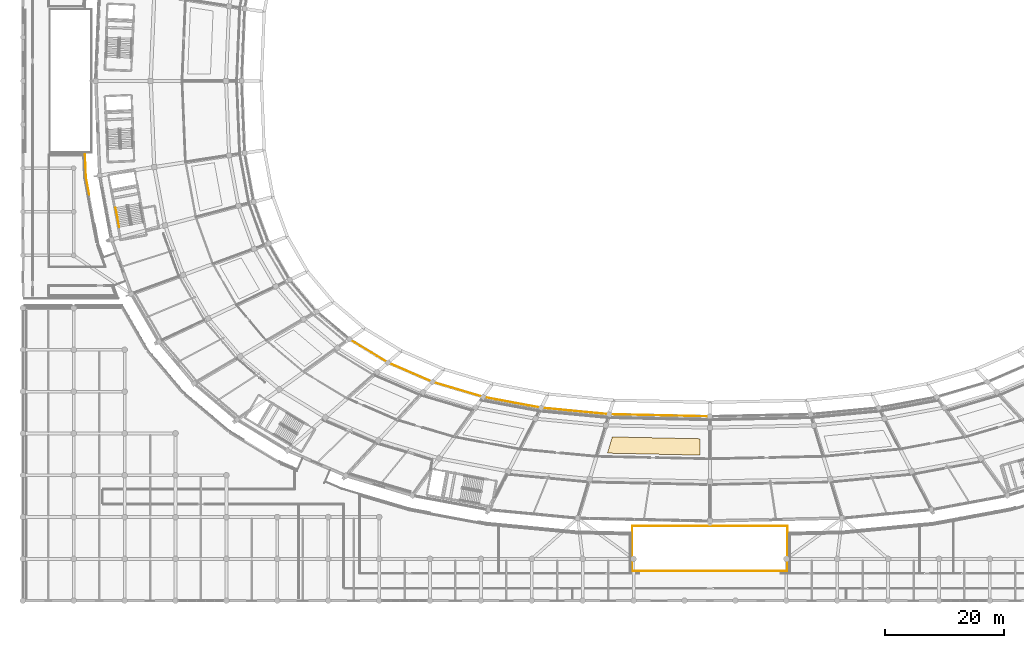
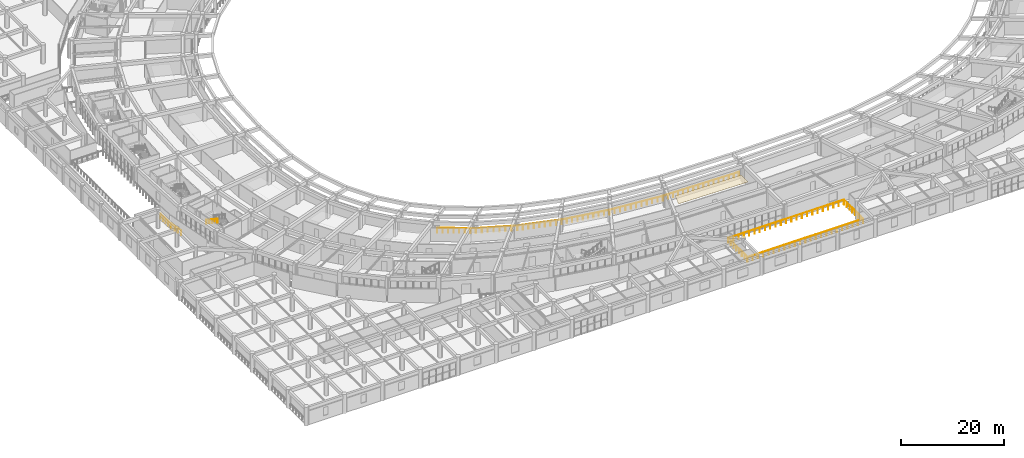
# One storey, part 123 of 145: 5 railings, 1 covering.
"""IFC4 building model written with IfcOpenShell, lengths in metres."""

from ifc_helpers import new_model, si_unit, direction, frame, origin, origin_2d, place, context, subcontext, project, spatial, polyline, circle, outline, extrude, material, layer, layer_set, type_object, element, save


model = new_model("IFC4")

# Units and contexts
model_context = context("Model", 3, precision=1e-05, world=origin(), true_north=direction((0.0, 1.0)))
body_context = subcontext(model_context, "Body", "Model", "MODEL_VIEW")
ifc_project = project(units=[si_unit("LENGTHUNIT", "METRE"), si_unit("AREAUNIT", "SQUARE_METRE"), si_unit("VOLUMEUNIT", "CUBIC_METRE"), si_unit("PLANEANGLEUNIT", "RADIAN"), si_unit("MASSUNIT", "GRAM", prefix="KILO")], contexts=[model_context])

# Site, building, storey
site_placement = place(None, origin())
site = spatial("IfcSite", under=ifc_project, at=site_placement, CompositionType="ELEMENT")
building_placement = place(site_placement, origin())
building = spatial("IfcBuilding", under=site, at=building_placement, Name="Mphavela Belvedere Stadium", CompositionType="ELEMENT")
storey_placement = place(building_placement, frame((0.0, 0.0, 10.199951171875)))
storey = spatial("IfcBuildingStorey", under=building, at=storey_placement, Name="L02", CompositionType="ELEMENT", Elevation=10.199951171875)

# Covering
ifc_material_1 = material(Name="Perforated acoustic mineral ceiling tile")
ifc_layer = layer(ifc_material_1, 0.0400390625)
ifc_layer_set = layer_set([ifc_layer], Name="Perforated acoustic mineral ceiling tile")
covering_type = type_object("IfcCoveringType", Name="COV-CEILING-ACOUSTIC", PredefinedType="CEILING", material=ifc_layer_set)
covering_placement = place(storey_placement, frame((0.0, 0.0, 3.199951171875)))
element("IfcCovering", 1, at=covering_placement, inside=storey, type_object=covering_type, Name="Concourse acoustic ceiling L02-36", PredefinedType="CEILING", context=body_context, shape_type="SweptSolid", body=[
    extrude(outline(polyline([(98.665771484375, 27.42041015625), (113.343994140625, 27.1044921875), (113.343994140625, 24.368896484375), (97.844482421875, 24.70263671875), (98.665771484375, 27.42041015625)])), origin(), (0.0, 0.0, 1.0), 0.0400390625),
])

# Railings
ifc_material_2 = material(Name="Bronze and laminated glass stadium balustrade", Category="glass")
railing_type_1 = type_object("IfcRailingType", Name="RAL-BALUSTRADE-1120", PredefinedType="BALUSTRADE", material=ifc_material_2)
railing_1_placement = place(storey_placement, frame((102.0, 5.0, 0.0)))
element("IfcRailing", 2, at=railing_1_placement, inside=storey, type_object=railing_type_1, Name="South Axial Triumphal Peristyle Portico court balustrade L02-A", PredefinedType="BALUSTRADE", context=body_context, shape_type="SweptSolid", body=[
    extrude(circle(Radius=0.02392578125, at=origin_2d()), frame((0.0, 0.0, 1.09619140625), z_axis=(1.0, 0.0, 0.0), x_axis=(0.0, 1.0, 0.0)), (0.0, 0.0, 1.0), 26.0),
    extrude(circle(Radius=0.02392578125, at=origin_2d()), frame((26.0, 0.0, 1.09619140625), z_axis=(0.0, 1.0, 0.0), x_axis=(-1.0, 0.0, 0.0)), (0.0, 0.0, 1.0), 7.419921875),
    extrude(circle(Radius=0.02099609375, at=origin_2d()), origin(), (0.0, 0.0, 1.0), 1.072021484375),
    extrude(circle(Radius=0.02099609375, at=origin_2d()), frame((1.181884765625, 0.0, 0.0)), (0.0, 0.0, 1.0), 1.072021484375),
    extrude(circle(Radius=0.02099609375, at=origin_2d()), frame((2.363525390625, 0.0, 0.0)), (0.0, 0.0, 1.0), 1.072021484375),
    extrude(circle(Radius=0.02099609375, at=origin_2d()), frame((3.54541015625, 0.0, 0.0)), (0.0, 0.0, 1.0), 1.072021484375),
    extrude(circle(Radius=0.02099609375, at=origin_2d()), frame((4.727294921875, 0.0, 0.0)), (0.0, 0.0, 1.0), 1.072021484375),
    extrude(circle(Radius=0.02099609375, at=origin_2d()), frame((5.9091796875, 0.0, 0.0)), (0.0, 0.0, 1.0), 1.072021484375),
    extrude(circle(Radius=0.02099609375, at=origin_2d()), frame((7.0908203125, 0.0, 0.0)), (0.0, 0.0, 1.0), 1.072021484375),
    extrude(circle(Radius=0.02099609375, at=origin_2d()), frame((8.272705078125, 0.0, 0.0)), (0.0, 0.0, 1.0), 1.072021484375),
    extrude(circle(Radius=0.02099609375, at=origin_2d()), frame((9.45458984375, 0.0, 0.0)), (0.0, 0.0, 1.0), 1.072021484375),
    extrude(circle(Radius=0.02099609375, at=origin_2d()), frame((10.636474609375, 0.0, 0.0)), (0.0, 0.0, 1.0), 1.072021484375),
    extrude(circle(Radius=0.02099609375, at=origin_2d()), frame((11.818115234375, 0.0, 0.0)), (0.0, 0.0, 1.0), 1.072021484375),
    extrude(circle(Radius=0.02099609375, at=origin_2d()), frame((13.0, 0.0, 0.0)), (0.0, 0.0, 1.0), 1.072021484375),
    extrude(circle(Radius=0.02099609375, at=origin_2d()), frame((14.181884765625, 0.0, 0.0)), (0.0, 0.0, 1.0), 1.072021484375),
    extrude(circle(Radius=0.02099609375, at=origin_2d()), frame((15.363525390625, 0.0, 0.0)), (0.0, 0.0, 1.0), 1.072021484375),
    extrude(circle(Radius=0.02099609375, at=origin_2d()), frame((16.54541015625, 0.0, 0.0)), (0.0, 0.0, 1.0), 1.072021484375),
    extrude(circle(Radius=0.02099609375, at=origin_2d()), frame((17.727294921875, 0.0, 0.0)), (0.0, 0.0, 1.0), 1.072021484375),
    extrude(circle(Radius=0.02099609375, at=origin_2d()), frame((18.9091796875, 0.0, 0.0)), (0.0, 0.0, 1.0), 1.072021484375),
    extrude(circle(Radius=0.02099609375, at=origin_2d()), frame((20.0908203125, 0.0, 0.0)), (0.0, 0.0, 1.0), 1.072021484375),
    extrude(circle(Radius=0.02099609375, at=origin_2d()), frame((21.272705078125, 0.0, 0.0)), (0.0, 0.0, 1.0), 1.072021484375),
    extrude(circle(Radius=0.02099609375, at=origin_2d()), frame((22.45458984375, 0.0, 0.0)), (0.0, 0.0, 1.0), 1.072021484375),
    extrude(circle(Radius=0.02099609375, at=origin_2d()), frame((23.636474609375, 0.0, 0.0)), (0.0, 0.0, 1.0), 1.072021484375),
    extrude(circle(Radius=0.02099609375, at=origin_2d()), frame((24.818115234375, 0.0, 0.0)), (0.0, 0.0, 1.0), 1.072021484375),
    extrude(circle(Radius=0.02099609375, at=origin_2d()), frame((26.0, 0.0, 0.0)), (0.0, 0.0, 1.0), 1.072021484375),
    extrude(circle(Radius=0.02099609375, at=origin_2d()), frame((26.0, 1.06005859375, 0.0)), (0.0, 0.0, 1.0), 1.072021484375),
    extrude(circle(Radius=0.02099609375, at=origin_2d()), frame((26.0, 2.119873046875, 0.0)), (0.0, 0.0, 1.0), 1.072021484375),
    extrude(circle(Radius=0.02099609375, at=origin_2d()), frame((26.0, 3.179931640625, 0.0)), (0.0, 0.0, 1.0), 1.072021484375),
    extrude(circle(Radius=0.02099609375, at=origin_2d()), frame((26.0, 4.239990234375, 0.0)), (0.0, 0.0, 1.0), 1.072021484375),
    extrude(circle(Radius=0.02099609375, at=origin_2d()), frame((26.0, 5.300048828125, 0.0)), (0.0, 0.0, 1.0), 1.072021484375),
    extrude(circle(Radius=0.02099609375, at=origin_2d()), frame((26.0, 6.35986328125, 0.0)), (0.0, 0.0, 1.0), 1.072021484375),
    extrude(circle(Radius=0.02099609375, at=origin_2d()), frame((26.0, 7.419921875, 0.0)), (0.0, 0.0, 1.0), 1.072021484375),
])
railing_2_placement = place(storey_placement, frame((128.0, 12.5, 0.0)))
element("IfcRailing", 3, at=railing_2_placement, inside=storey, type_object=railing_type_1, Name="South Axial Triumphal Peristyle Portico court balustrade L02-B", PredefinedType="BALUSTRADE", context=body_context, shape_type="SweptSolid", body=[
    extrude(circle(Radius=0.02392578125, at=origin_2d()), frame((0.0, 0.0, 1.09619140625), z_axis=(-1.0, 0.0, 0.0), x_axis=(0.0, -1.0, 0.0)), (0.0, 0.0, 1.0), 26.0),
    extrude(circle(Radius=0.02392578125, at=origin_2d()), frame((-26.0, 0.0, 1.09619140625), z_axis=(0.0, -1.0, 0.0), x_axis=(1.0, 0.0, 0.0)), (0.0, 0.0, 1.0), 7.419921875),
    extrude(circle(Radius=0.02099609375, at=origin_2d()), origin(), (0.0, 0.0, 1.0), 1.072021484375),
    extrude(circle(Radius=0.02099609375, at=origin_2d()), frame((-1.181884765625, 0.0, 0.0)), (0.0, 0.0, 1.0), 1.072021484375),
    extrude(circle(Radius=0.02099609375, at=origin_2d()), frame((-2.363525390625, 0.0, 0.0)), (0.0, 0.0, 1.0), 1.072021484375),
    extrude(circle(Radius=0.02099609375, at=origin_2d()), frame((-3.54541015625, 0.0, 0.0)), (0.0, 0.0, 1.0), 1.072021484375),
    extrude(circle(Radius=0.02099609375, at=origin_2d()), frame((-4.727294921875, 0.0, 0.0)), (0.0, 0.0, 1.0), 1.072021484375),
    extrude(circle(Radius=0.02099609375, at=origin_2d()), frame((-5.9091796875, 0.0, 0.0)), (0.0, 0.0, 1.0), 1.072021484375),
    extrude(circle(Radius=0.02099609375, at=origin_2d()), frame((-7.0908203125, 0.0, 0.0)), (0.0, 0.0, 1.0), 1.072021484375),
    extrude(circle(Radius=0.02099609375, at=origin_2d()), frame((-8.272705078125, 0.0, 0.0)), (0.0, 0.0, 1.0), 1.072021484375),
    extrude(circle(Radius=0.02099609375, at=origin_2d()), frame((-9.45458984375, 0.0, 0.0)), (0.0, 0.0, 1.0), 1.072021484375),
    extrude(circle(Radius=0.02099609375, at=origin_2d()), frame((-10.636474609375, 0.0, 0.0)), (0.0, 0.0, 1.0), 1.072021484375),
    extrude(circle(Radius=0.02099609375, at=origin_2d()), frame((-11.818115234375, 0.0, 0.0)), (0.0, 0.0, 1.0), 1.072021484375),
    extrude(circle(Radius=0.02099609375, at=origin_2d()), frame((-13.0, 0.0, 0.0)), (0.0, 0.0, 1.0), 1.072021484375),
    extrude(circle(Radius=0.02099609375, at=origin_2d()), frame((-14.181884765625, 0.0, 0.0)), (0.0, 0.0, 1.0), 1.072021484375),
    extrude(circle(Radius=0.02099609375, at=origin_2d()), frame((-15.363525390625, 0.0, 0.0)), (0.0, 0.0, 1.0), 1.072021484375),
    extrude(circle(Radius=0.02099609375, at=origin_2d()), frame((-16.54541015625, 0.0, 0.0)), (0.0, 0.0, 1.0), 1.072021484375),
    extrude(circle(Radius=0.02099609375, at=origin_2d()), frame((-17.727294921875, 0.0, 0.0)), (0.0, 0.0, 1.0), 1.072021484375),
    extrude(circle(Radius=0.02099609375, at=origin_2d()), frame((-18.9091796875, 0.0, 0.0)), (0.0, 0.0, 1.0), 1.072021484375),
    extrude(circle(Radius=0.02099609375, at=origin_2d()), frame((-20.0908203125, 0.0, 0.0)), (0.0, 0.0, 1.0), 1.072021484375),
    extrude(circle(Radius=0.02099609375, at=origin_2d()), frame((-21.272705078125, 0.0, 0.0)), (0.0, 0.0, 1.0), 1.072021484375),
    extrude(circle(Radius=0.02099609375, at=origin_2d()), frame((-22.45458984375, 0.0, 0.0)), (0.0, 0.0, 1.0), 1.072021484375),
    extrude(circle(Radius=0.02099609375, at=origin_2d()), frame((-23.636474609375, 0.0, 0.0)), (0.0, 0.0, 1.0), 1.072021484375),
    extrude(circle(Radius=0.02099609375, at=origin_2d()), frame((-24.818115234375, 0.0, 0.0)), (0.0, 0.0, 1.0), 1.072021484375),
    extrude(circle(Radius=0.02099609375, at=origin_2d()), frame((-26.0, 0.0, 0.0)), (0.0, 0.0, 1.0), 1.072021484375),
    extrude(circle(Radius=0.02099609375, at=origin_2d()), frame((-26.0, -1.06005859375, 0.0)), (0.0, 0.0, 1.0), 1.072021484375),
    extrude(circle(Radius=0.02099609375, at=origin_2d()), frame((-26.0, -2.119873046875, 0.0)), (0.0, 0.0, 1.0), 1.072021484375),
    extrude(circle(Radius=0.02099609375, at=origin_2d()), frame((-26.0, -3.179931640625, 0.0)), (0.0, 0.0, 1.0), 1.072021484375),
    extrude(circle(Radius=0.02099609375, at=origin_2d()), frame((-26.0, -4.239990234375, 0.0)), (0.0, 0.0, 1.0), 1.072021484375),
    extrude(circle(Radius=0.02099609375, at=origin_2d()), frame((-26.0, -5.300048828125, 0.0)), (0.0, 0.0, 1.0), 1.072021484375),
    extrude(circle(Radius=0.02099609375, at=origin_2d()), frame((-26.0, -6.35986328125, 0.0)), (0.0, 0.0, 1.0), 1.072021484375),
    extrude(circle(Radius=0.02099609375, at=origin_2d()), frame((-26.0, -7.419921875, 0.0)), (0.0, 0.0, 1.0), 1.072021484375),
])
railing_3_placement = place(storey_placement, frame((54.66259765625, 43.7685546875, 0.0)))
element("IfcRailing", 4, at=railing_3_placement, inside=storey, type_object=railing_type_1, Name="Bowl safety balustrade l02_bowl S6", PredefinedType="BALUSTRADE", context=body_context, shape_type="SweptSolid", body=[
    extrude(circle(Radius=0.02392578125, at=origin_2d()), frame((0.0, 0.0, 1.09619140625), z_axis=(0.854325951403, -0.51973759606, 0.0), x_axis=(0.51973759606, 0.854325951403, 0.0)), (0.0, 0.0, 1.0), 7.5478515625),
    extrude(circle(Radius=0.02392578125, at=origin_2d()), frame((6.4482421875, -3.9228515625, 1.09619140625), z_axis=(0.917503251148, -0.397728279273, 0.0), x_axis=(0.397728279273, 0.917503251148, 0.0)), (0.0, 0.0, 1.0), 8.107666015625),
    extrude(circle(Radius=0.02392578125, at=origin_2d()), frame((13.886962890625, -7.1474609375, 1.09619140625), z_axis=(0.958656973737, -0.284564240033, 0.0), x_axis=(0.284564240033, 0.958656973737, 0.0)), (0.0, 0.0, 1.0), 8.854736328125),
    extrude(circle(Radius=0.02392578125, at=origin_2d()), frame((22.375732421875, -9.667236328125, 1.09619140625), z_axis=(0.983092994202, -0.183106976248, 0.0), x_axis=(0.183106976248, 0.983092994202, 0.0)), (0.0, 0.0, 1.0), 9.869140625),
    extrude(circle(Radius=0.02392578125, at=origin_2d()), frame((32.078125, -11.474365234375, 1.09619140625), z_axis=(0.995485216305, -0.094916722014, 0.0), x_axis=(0.094916722014, 0.995485216305, 0.0)), (0.0, 0.0, 1.0), 11.453857421875),
    extrude(circle(Radius=0.02392578125, at=origin_2d()), frame((43.480224609375, -12.5615234375, 1.09619140625), z_axis=(0.9997681798, -0.021531062658, 0.0), x_axis=(0.021531062658, 0.9997681798, 0.0)), (0.0, 0.0, 1.0), 16.861083984375),
    extrude(circle(Radius=0.02099609375, at=origin_2d()), origin(), (0.0, 0.0, 1.0), 1.072021484375),
    extrude(circle(Radius=0.02099609375, at=origin_2d()), frame((0.921142578125, -0.560302734375, 0.0)), (0.0, 0.0, 1.0), 1.072021484375),
    extrude(circle(Radius=0.02099609375, at=origin_2d()), frame((1.84228515625, -1.120849609375, 0.0)), (0.0, 0.0, 1.0), 1.072021484375),
    extrude(circle(Radius=0.02099609375, at=origin_2d()), frame((2.763427734375, -1.68115234375, 0.0)), (0.0, 0.0, 1.0), 1.072021484375),
    extrude(circle(Radius=0.02099609375, at=origin_2d()), frame((3.684814453125, -2.24169921875, 0.0)), (0.0, 0.0, 1.0), 1.072021484375),
    extrude(circle(Radius=0.02099609375, at=origin_2d()), frame((4.60595703125, -2.802001953125, 0.0)), (0.0, 0.0, 1.0), 1.072021484375),
    extrude(circle(Radius=0.02099609375, at=origin_2d()), frame((5.527099609375, -3.362548828125, 0.0)), (0.0, 0.0, 1.0), 1.072021484375),
    extrude(circle(Radius=0.02099609375, at=origin_2d()), frame((6.4482421875, -3.9228515625, 0.0)), (0.0, 0.0, 1.0), 1.072021484375),
    extrude(circle(Radius=0.02099609375, at=origin_2d()), frame((7.510986328125, -4.383544921875, 0.0)), (0.0, 0.0, 1.0), 1.072021484375),
    extrude(circle(Radius=0.02099609375, at=origin_2d()), frame((8.573486328125, -4.84423828125, 0.0)), (0.0, 0.0, 1.0), 1.072021484375),
    extrude(circle(Radius=0.02099609375, at=origin_2d()), frame((9.63623046875, -5.304931640625, 0.0)), (0.0, 0.0, 1.0), 1.072021484375),
    extrude(circle(Radius=0.02099609375, at=origin_2d()), frame((10.698974609375, -5.765380859375, 0.0)), (0.0, 0.0, 1.0), 1.072021484375),
    extrude(circle(Radius=0.02099609375, at=origin_2d()), frame((11.76171875, -6.22607421875, 0.0)), (0.0, 0.0, 1.0), 1.072021484375),
    extrude(circle(Radius=0.02099609375, at=origin_2d()), frame((12.82421875, -6.686767578125, 0.0)), (0.0, 0.0, 1.0), 1.072021484375),
    extrude(circle(Radius=0.02099609375, at=origin_2d()), frame((13.886962890625, -7.1474609375, 0.0)), (0.0, 0.0, 1.0), 1.072021484375),
    extrude(circle(Radius=0.02099609375, at=origin_2d()), frame((14.947998046875, -7.46240234375, 0.0)), (0.0, 0.0, 1.0), 1.072021484375),
    extrude(circle(Radius=0.02099609375, at=origin_2d()), frame((16.00927734375, -7.77734375, 0.0)), (0.0, 0.0, 1.0), 1.072021484375),
    extrude(circle(Radius=0.02099609375, at=origin_2d()), frame((17.0703125, -8.09228515625, 0.0)), (0.0, 0.0, 1.0), 1.072021484375),
    extrude(circle(Radius=0.02099609375, at=origin_2d()), frame((18.13134765625, -8.4072265625, 0.0)), (0.0, 0.0, 1.0), 1.072021484375),
    extrude(circle(Radius=0.02099609375, at=origin_2d()), frame((19.1923828125, -8.722412109375, 0.0)), (0.0, 0.0, 1.0), 1.072021484375),
    extrude(circle(Radius=0.02099609375, at=origin_2d()), frame((20.25341796875, -9.037353515625, 0.0)), (0.0, 0.0, 1.0), 1.072021484375),
    extrude(circle(Radius=0.02099609375, at=origin_2d()), frame((21.314697265625, -9.352294921875, 0.0)), (0.0, 0.0, 1.0), 1.072021484375),
    extrude(circle(Radius=0.02099609375, at=origin_2d()), frame((22.375732421875, -9.667236328125, 0.0)), (0.0, 0.0, 1.0), 1.072021484375),
    extrude(circle(Radius=0.02099609375, at=origin_2d()), frame((23.453857421875, -9.867919921875, 0.0)), (0.0, 0.0, 1.0), 1.072021484375),
    extrude(circle(Radius=0.02099609375, at=origin_2d()), frame((24.53173828125, -10.06884765625, 0.0)), (0.0, 0.0, 1.0), 1.072021484375),
    extrude(circle(Radius=0.02099609375, at=origin_2d()), frame((25.60986328125, -10.26953125, 0.0)), (0.0, 0.0, 1.0), 1.072021484375),
    extrude(circle(Radius=0.02099609375, at=origin_2d()), frame((26.68798828125, -10.470458984375, 0.0)), (0.0, 0.0, 1.0), 1.072021484375),
    extrude(circle(Radius=0.02099609375, at=origin_2d()), frame((27.765869140625, -10.671142578125, 0.0)), (0.0, 0.0, 1.0), 1.072021484375),
    extrude(circle(Radius=0.02099609375, at=origin_2d()), frame((28.843994140625, -10.8720703125, 0.0)), (0.0, 0.0, 1.0), 1.072021484375),
    extrude(circle(Radius=0.02099609375, at=origin_2d()), frame((29.922119140625, -11.07275390625, 0.0)), (0.0, 0.0, 1.0), 1.072021484375),
    extrude(circle(Radius=0.02099609375, at=origin_2d()), frame((31.0, -11.273681640625, 0.0)), (0.0, 0.0, 1.0), 1.072021484375),
    extrude(circle(Radius=0.02099609375, at=origin_2d()), frame((32.078125, -11.474365234375, 0.0)), (0.0, 0.0, 1.0), 1.072021484375),
    extrude(circle(Radius=0.02099609375, at=origin_2d()), frame((33.21826171875, -11.5830078125, 0.0)), (0.0, 0.0, 1.0), 1.072021484375),
    extrude(circle(Radius=0.02099609375, at=origin_2d()), frame((34.358642578125, -11.69189453125, 0.0)), (0.0, 0.0, 1.0), 1.072021484375),
    extrude(circle(Radius=0.02099609375, at=origin_2d()), frame((35.498779296875, -11.800537109375, 0.0)), (0.0, 0.0, 1.0), 1.072021484375),
    extrude(circle(Radius=0.02099609375, at=origin_2d()), frame((36.638916015625, -11.9091796875, 0.0)), (0.0, 0.0, 1.0), 1.072021484375),
    extrude(circle(Radius=0.02099609375, at=origin_2d()), frame((37.779296875, -12.01806640625, 0.0)), (0.0, 0.0, 1.0), 1.072021484375),
    extrude(circle(Radius=0.02099609375, at=origin_2d()), frame((38.91943359375, -12.126708984375, 0.0)), (0.0, 0.0, 1.0), 1.072021484375),
    extrude(circle(Radius=0.02099609375, at=origin_2d()), frame((40.0595703125, -12.2353515625, 0.0)), (0.0, 0.0, 1.0), 1.072021484375),
    extrude(circle(Radius=0.02099609375, at=origin_2d()), frame((41.19970703125, -12.343994140625, 0.0)), (0.0, 0.0, 1.0), 1.072021484375),
    extrude(circle(Radius=0.02099609375, at=origin_2d()), frame((42.340087890625, -12.452880859375, 0.0)), (0.0, 0.0, 1.0), 1.072021484375),
    extrude(circle(Radius=0.02099609375, at=origin_2d()), frame((43.480224609375, -12.5615234375, 0.0)), (0.0, 0.0, 1.0), 1.072021484375),
    extrude(circle(Radius=0.02099609375, at=origin_2d()), frame((44.60400390625, -12.585693359375, 0.0)), (0.0, 0.0, 1.0), 1.072021484375),
    extrude(circle(Radius=0.02099609375, at=origin_2d()), frame((45.727783203125, -12.60986328125, 0.0)), (0.0, 0.0, 1.0), 1.072021484375),
    extrude(circle(Radius=0.02099609375, at=origin_2d()), frame((46.8515625, -12.634033203125, 0.0)), (0.0, 0.0, 1.0), 1.072021484375),
    extrude(circle(Radius=0.02099609375, at=origin_2d()), frame((47.9755859375, -12.658447265625, 0.0)), (0.0, 0.0, 1.0), 1.072021484375),
    extrude(circle(Radius=0.02099609375, at=origin_2d()), frame((49.099365234375, -12.6826171875, 0.0)), (0.0, 0.0, 1.0), 1.072021484375),
    extrude(circle(Radius=0.02099609375, at=origin_2d()), frame((50.22314453125, -12.706787109375, 0.0)), (0.0, 0.0, 1.0), 1.072021484375),
    extrude(circle(Radius=0.02099609375, at=origin_2d()), frame((51.346923828125, -12.73095703125, 0.0)), (0.0, 0.0, 1.0), 1.072021484375),
    extrude(circle(Radius=0.02099609375, at=origin_2d()), frame((52.470703125, -12.755126953125, 0.0)), (0.0, 0.0, 1.0), 1.072021484375),
    extrude(circle(Radius=0.02099609375, at=origin_2d()), frame((53.594482421875, -12.779296875, 0.0)), (0.0, 0.0, 1.0), 1.072021484375),
    extrude(circle(Radius=0.02099609375, at=origin_2d()), frame((54.71826171875, -12.803466796875, 0.0)), (0.0, 0.0, 1.0), 1.072021484375),
    extrude(circle(Radius=0.02099609375, at=origin_2d()), frame((55.842041015625, -12.82763671875, 0.0)), (0.0, 0.0, 1.0), 1.072021484375),
    extrude(circle(Radius=0.02099609375, at=origin_2d()), frame((56.966064453125, -12.85205078125, 0.0)), (0.0, 0.0, 1.0), 1.072021484375),
    extrude(circle(Radius=0.02099609375, at=origin_2d()), frame((58.08984375, -12.876220703125, 0.0)), (0.0, 0.0, 1.0), 1.072021484375),
    extrude(circle(Radius=0.02099609375, at=origin_2d()), frame((59.213623046875, -12.900390625, 0.0)), (0.0, 0.0, 1.0), 1.072021484375),
    extrude(circle(Radius=0.02099609375, at=origin_2d()), frame((60.33740234375, -12.924560546875, 0.0)), (0.0, 0.0, 1.0), 1.072021484375),
])
railing_4_placement = place(storey_placement, frame((10.4130859375, 74.719970703125, 0.0)))
element("IfcRailing", 5, at=railing_4_placement, inside=storey, type_object=railing_type_1, Name="Peristyle wing gallery edge balustrade L02-56", PredefinedType="BALUSTRADE", context=body_context, shape_type="SweptSolid", body=[
    extrude(circle(Radius=0.02392578125, at=origin_2d()), frame((0.0, 0.0, 1.09619140625), z_axis=(0.041915584211, -0.999121155716, 0.0), x_axis=(0.999121155716, 0.041915584211, 0.0)), (0.0, 0.0, 1.0), 3.66943359375),
    extrude(circle(Radius=0.02392578125, at=origin_2d()), frame((0.15380859375, -3.666259765625, 1.09619140625), z_axis=(0.113134174083, -0.993579719325, 0.0), x_axis=(0.993579719325, 0.113134174083, 0.0)), (0.0, 0.0, 1.0), 0.317138671875),
    extrude(circle(Radius=0.02392578125, at=origin_2d()), frame((0.189697265625, -3.9814453125, 1.09619140625), z_axis=(0.182689544832, -0.983170651621, 0.0), x_axis=(0.983170651621, 0.182689544832, 0.0)), (0.0, 0.0, 1.0), 2.83984375),
    extrude(circle(Radius=0.02099609375, at=origin_2d()), origin(), (0.0, 0.0, 1.0), 1.072021484375),
    extrude(circle(Radius=0.02099609375, at=origin_2d()), frame((0.03857421875, -0.91650390625, 0.0)), (0.0, 0.0, 1.0), 1.072021484375),
    extrude(circle(Radius=0.02099609375, at=origin_2d()), frame((0.076904296875, -1.8330078125, 0.0)), (0.0, 0.0, 1.0), 1.072021484375),
    extrude(circle(Radius=0.02099609375, at=origin_2d()), frame((0.115234375, -2.749755859375, 0.0)), (0.0, 0.0, 1.0), 1.072021484375),
    extrude(circle(Radius=0.02099609375, at=origin_2d()), frame((0.15380859375, -3.666259765625, 0.0)), (0.0, 0.0, 1.0), 1.072021484375),
    extrude(circle(Radius=0.02099609375, at=origin_2d()), frame((0.189697265625, -3.9814453125, 0.0)), (0.0, 0.0, 1.0), 1.072021484375),
    extrude(circle(Radius=0.02099609375, at=origin_2d()), frame((0.362548828125, -4.912109375, 0.0)), (0.0, 0.0, 1.0), 1.072021484375),
    extrude(circle(Radius=0.02099609375, at=origin_2d()), frame((0.53564453125, -5.8427734375, 0.0)), (0.0, 0.0, 1.0), 1.072021484375),
    extrude(circle(Radius=0.02099609375, at=origin_2d()), frame((0.70849609375, -6.7734375, 0.0)), (0.0, 0.0, 1.0), 1.072021484375),
])
ifc_material_3 = material(Name="Brushed stainless steel tubular handrail", Category="steel")
railing_type_2 = type_object("IfcRailingType", Name="RAL-HANDRAIL-900", PredefinedType="HANDRAIL", material=ifc_material_3)
railing_5_placement = place(storey_placement, frame((15.52978515625, 65.781494140625, 2.4375)))
element("IfcRailing", 6, at=railing_5_placement, inside=storey, type_object=railing_type_2, Name="L02 ST-C09 stair handrail 2", PredefinedType="HANDRAIL", context=body_context, shape_type="SweptSolid", body=[
    extrude(circle(Radius=0.02392578125, at=origin_2d()), frame((0.0, 0.0, 0.8759765625), z_axis=(0.155156569333, -0.835285547097, 0.527469898481), x_axis=(0.983181950141, 0.182628729713, 0.0)), (0.0, 0.0, 1.0), 3.91015625),
    extrude(circle(Radius=0.02099609375, at=origin_2d()), origin(), (0.0, 0.0, 1.0), 0.851806640625),
    extrude(circle(Radius=0.02099609375, at=origin_2d()), frame((0.151611328125, -0.81640625, 0.515625)), (0.0, 0.0, 1.0), 0.851806640625),
    extrude(circle(Radius=0.02099609375, at=origin_2d()), frame((0.30322265625, -1.633056640625, 1.03125)), (0.0, 0.0, 1.0), 0.851806640625),
    extrude(circle(Radius=0.02099609375, at=origin_2d()), frame((0.455078125, -2.44970703125, 1.546875)), (0.0, 0.0, 1.0), 0.851806640625),
    extrude(circle(Radius=0.02099609375, at=origin_2d()), frame((0.606689453125, -3.26611328125, 2.0625)), (0.0, 0.0, 1.0), 0.851806640625),
])

save(model, "model.ifc")
